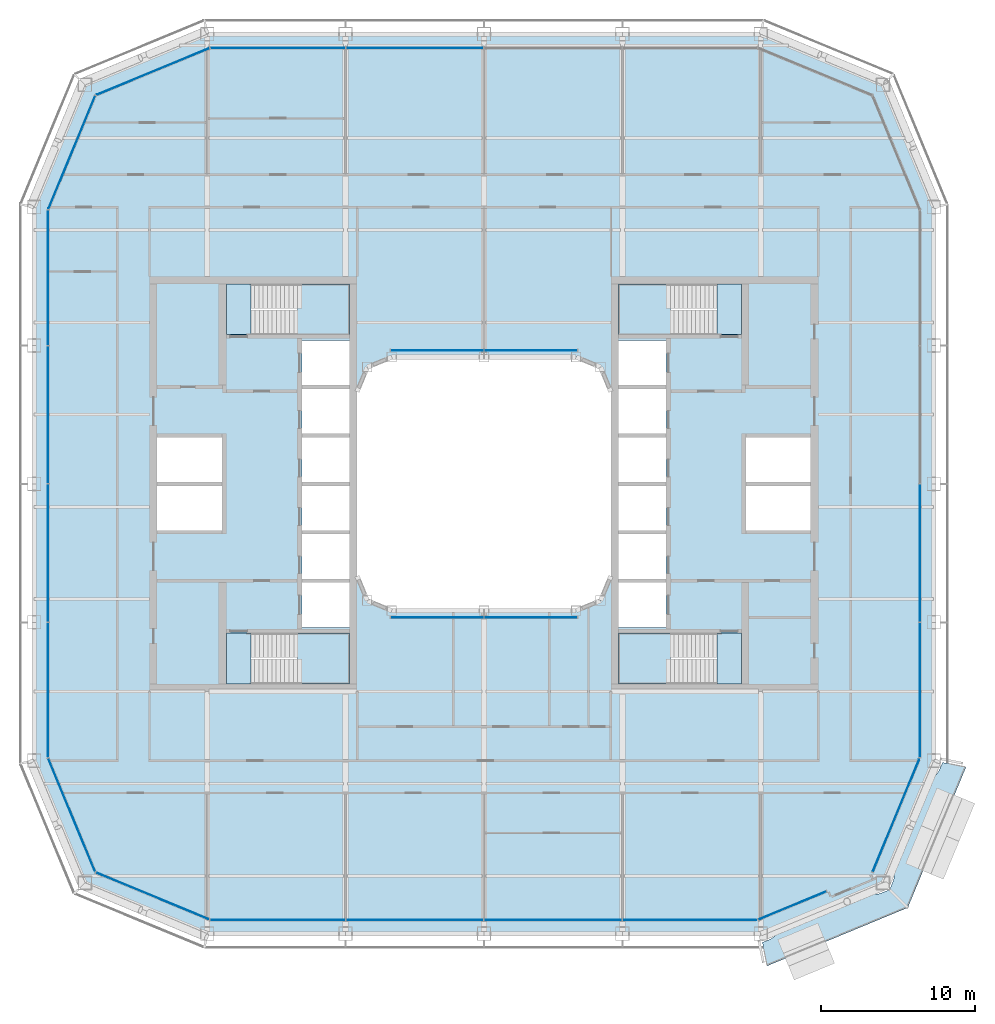
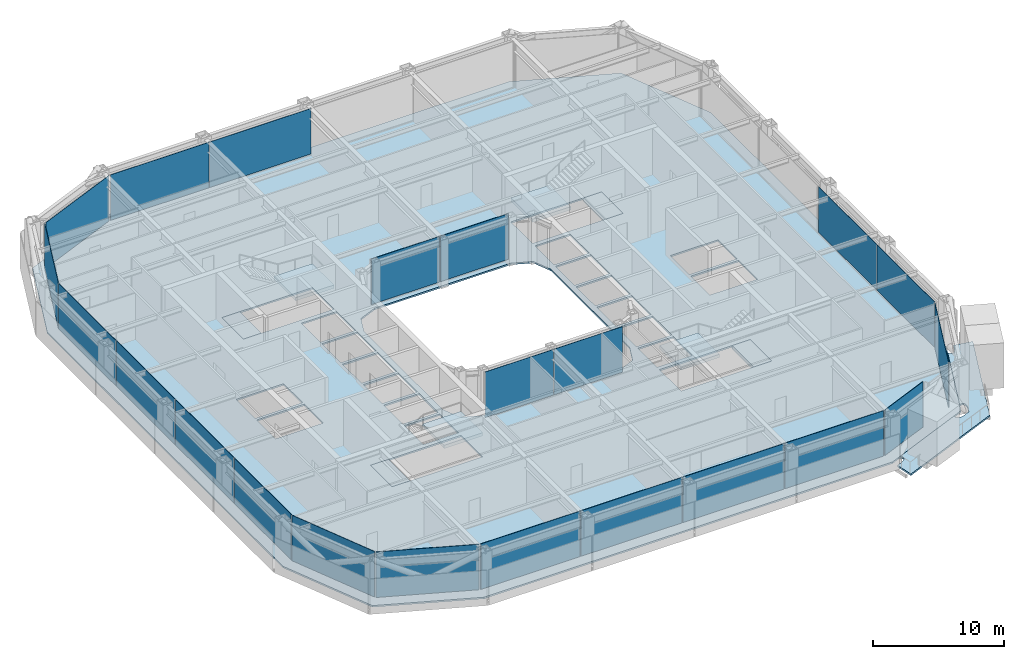
# One storey, part 10 of 23: 22 plates, 10 slabs, 16 elements without a shape of their own.
"""IFC4 building model written with IfcOpenShell, lengths in metres."""

from ifc_helpers import new_model, si_unit, direction, frame, origin, origin_2d, place, context, subcontext, project, spatial, polyline, rectangle, outline, extrude, material, layer, layer_set, type_object, element, aggregate, save


model = new_model("IFC4")

# Units and contexts
model_context = context("Model", 3, precision=1e-05, world=origin(), true_north=direction((0.0, 1.0)))
body_context = subcontext(model_context, "Body", "Model", "MODEL_VIEW")
ifc_project = project(units=[si_unit("LENGTHUNIT", "METRE"), si_unit("AREAUNIT", "SQUARE_METRE"), si_unit("VOLUMEUNIT", "CUBIC_METRE"), si_unit("PLANEANGLEUNIT", "RADIAN"), si_unit("MASSUNIT", "GRAM", prefix="KILO")], contexts=[model_context])

# Site, building, storey
site_placement = place(None, origin())
site = spatial("IfcSite", under=ifc_project, at=site_placement, CompositionType="ELEMENT")
building_placement = place(site_placement, origin())
building = spatial("IfcBuilding", under=site, at=building_placement, Name="Siwar Civic Tower", CompositionType="ELEMENT")
storey_placement = place(building_placement, frame((0.0, 0.0, 163.199951171875)))
storey = spatial("IfcBuildingStorey", under=building, at=storey_placement, Name="L35", CompositionType="ELEMENT", Elevation=163.199951171875)

# Stair, slabs
ifc_material_1 = material(Name="Concrete C40/50", Category="concrete")
stair_type = type_object("IfcStairType", Name="CORE-STAIR", PredefinedType="TWO_STRAIGHT_RUN_STAIR", material=ifc_material_1)
stair_1_placement = place(storey_placement, origin())
stair_1 = element("IfcStair", 1, at=stair_1_placement, inside=storey, type_object=stair_type, Name="Exit stair ST1", PredefinedType="TWO_STRAIGHT_RUN_STAIR")
ifc_material_2 = material(Name="Concrete C40/50", Category="concrete")
ifc_layer_1 = layer(ifc_material_2, 0.300048828125)
ifc_layer_set_1 = layer_set([ifc_layer_1], Name="Concrete C40/50")
slab_type_1 = type_object("IfcSlabType", Name="CORE-STAIR-LANDING", PredefinedType="LANDING", material=ifc_layer_set_1)
slab_1_placement = place(storey_placement, frame((0.0, 0.0, -0.300048828125)))
slab_1 = element("IfcSlab", 2, at=slab_1_placement, type_object=slab_type_1, Name="ST1 landing 1", PredefinedType="LANDING", context=body_context, shape_type="SweptSolid", body=[
    extrude(outline(polyline([(-15.14990234375, 13.0), (-16.75, 13.0), (-16.75, 9.699951171875), (-15.14990234375, 9.699951171875), (-15.14990234375, 13.0)])), origin(), (0.0, 0.0, 1.0), 0.300048828125),
])
slab_2_placement = place(storey_placement, frame((0.0, 0.0, 1.949951171875)))
slab_2 = element("IfcSlab", 3, at=slab_2_placement, type_object=slab_type_1, Name="ST1 landing 2", PredefinedType="LANDING", context=body_context, shape_type="SweptSolid", body=[
    extrude(outline(polyline([(-8.75, 13.0), (-12.139892578125, 13.0), (-12.139892578125, 9.699951171875), (-8.75, 9.699951171875), (-8.75, 13.0)])), origin(), (0.0, 0.0, 1.0), 0.300048828125),
])
aggregate(stair_1, [slab_1, slab_2])

stair_2_placement = place(storey_placement, origin())
stair_2 = element("IfcStair", 4, at=stair_2_placement, inside=storey, type_object=stair_type, Name="Exit stair ST2", PredefinedType="TWO_STRAIGHT_RUN_STAIR")
slab_3_placement = place(storey_placement, frame((0.0, 0.0, -0.300048828125)))
slab_3 = element("IfcSlab", 5, at=slab_3_placement, type_object=slab_type_1, Name="ST2 landing 1", PredefinedType="LANDING", context=body_context, shape_type="SweptSolid", body=[
    extrude(outline(polyline([(-15.14990234375, -9.699951171875), (-16.75, -9.699951171875), (-16.75, -13.0), (-15.14990234375, -13.0), (-15.14990234375, -9.699951171875)])), origin(), (0.0, 0.0, 1.0), 0.300048828125),
])
slab_4_placement = place(storey_placement, frame((0.0, 0.0, 1.949951171875)))
slab_4 = element("IfcSlab", 6, at=slab_4_placement, type_object=slab_type_1, Name="ST2 landing 2", PredefinedType="LANDING", context=body_context, shape_type="SweptSolid", body=[
    extrude(outline(polyline([(-8.75, -9.699951171875), (-12.139892578125, -9.699951171875), (-12.139892578125, -13.0), (-8.75, -13.0), (-8.75, -9.699951171875)])), origin(), (0.0, 0.0, 1.0), 0.300048828125),
])
aggregate(stair_2, [slab_3, slab_4])

stair_3_placement = place(storey_placement, origin())
stair_3 = element("IfcStair", 7, at=stair_3_placement, inside=storey, type_object=stair_type, Name="Exit stair ST3", PredefinedType="TWO_STRAIGHT_RUN_STAIR")
slab_5_placement = place(storey_placement, frame((0.0, 0.0, -0.300048828125)))
slab_5 = element("IfcSlab", 8, at=slab_5_placement, type_object=slab_type_1, Name="ST3 landing 1", PredefinedType="LANDING", context=body_context, shape_type="SweptSolid", body=[
    extrude(outline(polyline([(15.14990234375, 9.699951171875), (16.75, 9.699951171875), (16.75, 13.0), (15.14990234375, 13.0), (15.14990234375, 9.699951171875)])), origin(), (0.0, 0.0, 1.0), 0.300048828125),
])
slab_6_placement = place(storey_placement, frame((0.0, 0.0, 1.949951171875)))
slab_6 = element("IfcSlab", 9, at=slab_6_placement, type_object=slab_type_1, Name="ST3 landing 2", PredefinedType="LANDING", context=body_context, shape_type="SweptSolid", body=[
    extrude(outline(polyline([(8.75, 9.699951171875), (12.139892578125, 9.699951171875), (12.139892578125, 13.0), (8.75, 13.0), (8.75, 9.699951171875)])), origin(), (0.0, 0.0, 1.0), 0.300048828125),
])
aggregate(stair_3, [slab_5, slab_6])

stair_4_placement = place(storey_placement, origin())
stair_4 = element("IfcStair", 10, at=stair_4_placement, inside=storey, type_object=stair_type, Name="Exit stair ST4", PredefinedType="TWO_STRAIGHT_RUN_STAIR")
slab_7_placement = place(storey_placement, frame((0.0, 0.0, -0.300048828125)))
slab_7 = element("IfcSlab", 11, at=slab_7_placement, type_object=slab_type_1, Name="ST4 landing 1", PredefinedType="LANDING", context=body_context, shape_type="SweptSolid", body=[
    extrude(outline(polyline([(15.14990234375, -13.0), (16.75, -13.0), (16.75, -9.699951171875), (15.14990234375, -9.699951171875), (15.14990234375, -13.0)])), origin(), (0.0, 0.0, 1.0), 0.300048828125),
])
slab_8_placement = place(storey_placement, frame((0.0, 0.0, 1.949951171875)))
slab_8 = element("IfcSlab", 12, at=slab_8_placement, type_object=slab_type_1, Name="ST4 landing 2", PredefinedType="LANDING", context=body_context, shape_type="SweptSolid", body=[
    extrude(outline(polyline([(8.75, -13.0), (12.139892578125, -13.0), (12.139892578125, -9.699951171875), (8.75, -9.699951171875), (8.75, -13.0)])), origin(), (0.0, 0.0, 1.0), 0.300048828125),
])
aggregate(stair_4, [slab_7, slab_8])

# Slab
ifc_material_3 = material(Name="Concrete C40/50", Category="concrete")
ifc_layer_2 = layer(ifc_material_3, 0.14990234375)
ifc_layer_set_2 = layer_set([ifc_layer_2], Name="Concrete C40/50")
slab_type_2 = type_object("IfcSlabType", Name="ENV-BALCONY DECK 150", PredefinedType="FLOOR", material=ifc_layer_set_2)
slab_9_placement = place(storey_placement, frame((0.0, 0.0, -0.1494140625)))
element("IfcSlab", 13, at=slab_9_placement, inside=storey, type_object=slab_type_2, Name="Tree balcony deck SE", PredefinedType="FLOOR", context=body_context, shape_type="SweptSolid", body=[
    extrude(outline(polyline([(26.263427734375, -26.43310546875), (26.258056640625, -26.435546875), (26.258056640625, -26.435546875), (26.2333984375, -26.44580078125), (26.151611328125, -26.479736328125), (25.921875, -26.575439453125), (25.897216796875, -26.585693359375), (25.88916015625, -26.589111328125), (25.88720703125, -26.58984375), (25.81494140625, -26.617431640625), (25.81005859375, -26.619140625), (25.74462890625, -26.639404296875), (25.740234375, -26.640625), (25.673583984375, -26.65673828125), (25.669189453125, -26.65771484375), (25.601806640625, -26.669921875), (25.59765625, -26.67041015625), (25.529541015625, -26.6787109375), (25.523681640625, -26.67919921875), (25.517578125, -26.67919921875), (25.406005859375, -26.6748046875), (25.397216796875, -26.674072265625), (25.388671875, -26.672119140625), (25.345703125, -26.66015625), (25.34130859375, -26.65869140625), (25.299072265625, -26.64404296875), (25.29150390625, -26.640869140625), (25.284423828125, -26.63720703125), (25.251220703125, -26.61669921875), (25.247802734375, -26.614501953125), (25.216064453125, -26.59228515625), (25.209716796875, -26.58740234375), (25.203857421875, -26.581787109375), (25.19873046875, -26.575439453125), (25.1943359375, -26.56884765625), (25.190673828125, -26.561767578125), (25.177001953125, -26.531494140625), (25.17529296875, -26.52734375), (25.16357421875, -26.496337890625), (25.1611328125, -26.488525390625), (25.159423828125, -26.480712890625), (25.15869140625, -26.47265625), (25.15869140625, -26.464599609375), (25.15966796875, -26.456787109375), (25.166259765625, -26.418701171875), (25.167236328125, -26.41455078125), (25.176025390625, -26.376708984375), (25.17822265625, -26.368896484375), (25.181396484375, -26.361328125), (25.20068359375, -26.321044921875), (25.202880859375, -26.31689453125), (25.224609375, -26.27783203125), (25.2294921875, -26.2705078125), (25.23486328125, -26.263671875), (25.25048828125, -26.246826171875), (18.724609375, -28.949951171875), (18.77490234375, -28.951904296875), (18.783447265625, -28.95263671875), (18.7919921875, -28.95458984375), (18.835205078125, -28.966552734375), (18.839599609375, -28.968017578125), (18.8818359375, -28.982666015625), (18.889404296875, -28.98583984375), (18.896484375, -28.98974609375), (18.9296875, -29.010009765625), (18.935302734375, -29.013916015625), (18.940673828125, -29.018310546875), (18.945556640625, -29.023193359375), (18.968994140625, -29.048583984375), (18.971923828125, -29.052001953125), (18.99365234375, -29.078857421875), (18.998046875, -29.084716796875), (19.001708984375, -29.0908203125), (19.0048828125, -29.097412109375), (19.00732421875, -29.104248046875), (19.009033203125, -29.111083984375), (19.01025390625, -29.118408203125), (19.013671875, -29.15283203125), (19.01416015625, -29.1572265625), (19.015625, -29.19189453125), (19.015625, -29.19873046875), (19.01513671875, -29.20556640625), (19.013671875, -29.21240234375), (19.0048828125, -29.25), (19.002685546875, -29.2578125), (18.99951171875, -29.265380859375), (18.980224609375, -29.305908203125), (18.97802734375, -29.309814453125), (18.956298828125, -29.348876953125), (18.951416015625, -29.356201171875), (18.946044921875, -29.363037109375), (18.870361328125, -29.4453125), (18.865966796875, -29.44970703125), (18.861572265625, -29.453369140625), (18.8076171875, -29.495849609375), (18.80419921875, -29.498291015625), (18.748046875, -29.53759765625), (18.744384765625, -29.5400390625), (18.68603515625, -29.575927734375), (18.681884765625, -29.578369140625), (18.62158203125, -29.610595703125), (18.616943359375, -29.61279296875), (18.54638671875, -29.64453125), (18.54443359375, -29.645263671875), (18.4951171875, -29.665771484375), (18.449951171875, -29.6845703125), (18.449951171875, -29.699951171875), (18.412841796875, -29.699951171875), (18.314697265625, -29.740966796875), (18.232666015625, -29.775146484375), (18.19970703125, -29.788818359375), (18.175048828125, -29.798828125), (18.175048828125, -29.798828125), (18.16748046875, -29.8017578125), (18.148193359375, -29.807373046875), (18.140625, -29.80908203125), (18.1328125, -29.81005859375), (18.1123046875, -29.8115234375), (18.11181640625, -29.8115234375), (18.417724609375, -31.35009765625), (27.562255859375, -27.562255859375), (31.35009765625, -18.417724609375), (29.80810546875, -18.111083984375), (29.808349609375, -18.114013671875), (29.80859375, -18.13037109375), (29.808349609375, -18.136962890625), (29.8076171875, -18.1435546875), (29.80615234375, -18.150146484375), (29.80224609375, -18.1650390625), (29.798828125, -18.175048828125), (29.788818359375, -18.19970703125), (29.755615234375, -18.279052734375), (29.740966796875, -18.314697265625), (29.699951171875, -18.412841796875), (29.699951171875, -18.449951171875), (29.6845703125, -18.449951171875), (29.665771484375, -18.4951171875), (29.645263671875, -18.54443359375), (29.64453125, -18.54638671875), (29.61279296875, -18.616943359375), (29.610595703125, -18.62158203125), (29.578369140625, -18.681884765625), (29.575927734375, -18.68603515625), (29.5400390625, -18.744384765625), (29.53759765625, -18.748046875), (29.498291015625, -18.80419921875), (29.495849609375, -18.8076171875), (29.453369140625, -18.861572265625), (29.44970703125, -18.865966796875), (29.4453125, -18.870361328125), (29.363037109375, -18.946044921875), (29.356201171875, -18.951416015625), (29.348876953125, -18.956298828125), (29.309814453125, -18.97802734375), (29.305908203125, -18.980224609375), (29.265380859375, -18.99951171875), (29.2578125, -19.002685546875), (29.25, -19.0048828125), (29.21240234375, -19.013671875), (29.20556640625, -19.01513671875), (29.19873046875, -19.015625), (29.19189453125, -19.015625), (29.1572265625, -19.01416015625), (29.15283203125, -19.013671875), (29.118408203125, -19.01025390625), (29.111083984375, -19.009033203125), (29.104248046875, -19.00732421875), (29.097412109375, -19.0048828125), (29.0908203125, -19.001708984375), (29.084716796875, -18.998046875), (29.078857421875, -18.99365234375), (29.052001953125, -18.971923828125), (29.048583984375, -18.968994140625), (29.023193359375, -18.945556640625), (29.018310546875, -18.940673828125), (29.013916015625, -18.935302734375), (29.010009765625, -18.9296875), (28.98974609375, -18.896484375), (28.98583984375, -18.889404296875), (28.982666015625, -18.8818359375), (28.968017578125, -18.839599609375), (28.966552734375, -18.835205078125), (28.95458984375, -18.7919921875), (28.95263671875, -18.783447265625), (28.951904296875, -18.77490234375), (28.949951171875, -18.724609375), (26.246826171875, -25.25048828125), (26.263671875, -25.23486328125), (26.2705078125, -25.2294921875), (26.27783203125, -25.224609375), (26.31689453125, -25.202880859375), (26.321044921875, -25.20068359375), (26.361328125, -25.181396484375), (26.368896484375, -25.17822265625), (26.376708984375, -25.176025390625), (26.41455078125, -25.167236328125), (26.418701171875, -25.166259765625), (26.456787109375, -25.15966796875), (26.464599609375, -25.15869140625), (26.47265625, -25.15869140625), (26.480712890625, -25.159423828125), (26.488525390625, -25.1611328125), (26.496337890625, -25.16357421875), (26.52734375, -25.17529296875), (26.531494140625, -25.177001953125), (26.561767578125, -25.190673828125), (26.56884765625, -25.1943359375), (26.575439453125, -25.19873046875), (26.581787109375, -25.203857421875), (26.58740234375, -25.209716796875), (26.59228515625, -25.216064453125), (26.614501953125, -25.247802734375), (26.61669921875, -25.251220703125), (26.63720703125, -25.284423828125), (26.640869140625, -25.29150390625), (26.64404296875, -25.299072265625), (26.65869140625, -25.34130859375), (26.66015625, -25.345703125), (26.672119140625, -25.388671875), (26.674072265625, -25.397216796875), (26.6748046875, -25.406005859375), (26.67919921875, -25.517578125), (26.67919921875, -25.523681640625), (26.6787109375, -25.529541015625), (26.67041015625, -25.59765625), (26.669921875, -25.601806640625), (26.65771484375, -25.669189453125), (26.65673828125, -25.673583984375), (26.640625, -25.740234375), (26.639404296875, -25.74462890625), (26.619140625, -25.81005859375), (26.617431640625, -25.81494140625), (26.58984375, -25.88720703125), (26.589111328125, -25.88916015625), (26.585693359375, -25.897216796875), (26.575439453125, -25.921875), (26.479736328125, -26.151611328125), (26.44580078125, -26.2333984375), (26.435546875, -26.258056640625), (26.4306640625, -26.267578125), (26.4228515625, -26.28076171875), (26.419189453125, -26.286376953125), (26.4150390625, -26.291748046875), (26.410400390625, -26.296630859375), (26.405029296875, -26.3017578125), (26.405029296875, -26.405029296875), (26.311279296875, -26.405029296875), (26.29833984375, -26.414306640625), (26.293701171875, -26.41748046875), (26.28857421875, -26.420166015625), (26.263427734375, -26.43310546875)])), origin(), (0.0, 0.0, 1.0), 0.1494140625),
])

# Curtain wall, plates
ifc_material_4 = material(Name="Aluminium and glass", Category="aluminium")
ifc_layer_3 = layer(ifc_material_4, 0.199951171875)
ifc_layer_set_3 = layer_set([ifc_layer_3], Name="Aluminium and glass")
curtain_wall_type_1 = type_object("IfcCurtainWallType", Name="ENV-CW-B", PredefinedType="NOTDEFINED", material=ifc_layer_set_3)
curtain_wall_1_placement = place(storey_placement, origin())
curtain_wall_1 = element("IfcCurtainWall", 14, at=curtain_wall_1_placement, inside=storey, type_object=curtain_wall_type_1, Name="Curtain wall B S", PredefinedType="NOTDEFINED")
ifc_material_5 = material(Name="Glass clear laminated", Category="glass")
ifc_layer_4 = layer(ifc_material_5, 0.033935546875)
ifc_layer_set_4 = layer_set([ifc_layer_4], Name="Glass clear laminated")
plate_type_1 = type_object("IfcPlateType", Name="ENV-PANEL-B", PredefinedType="CURTAIN_PANEL", material=ifc_layer_set_4)
plate_1_placement = place(storey_placement, frame((-13.410400390625, -28.35009765625, 0.10986328125), z_axis=(0.0, 0.0, 1.0), x_axis=(1.0, 0.0, 0.0)))
plate_1 = element("IfcPlate", 15, at=plate_1_placement, type_object=plate_type_1, Name="Curtain panel B S 1", PredefinedType="CURTAIN_PANEL", context=body_context, shape_type="SweptSolid", body=[
    extrude(rectangle(XDim=8.755859375, YDim=0.033935546875, at=origin_2d()), origin(), (0.0, 0.0, 1.0), 4.239990234375),
])
plate_2_placement = place(storey_placement, frame((-4.5, -28.35009765625, 0.10986328125), z_axis=(0.0, 0.0, 1.0), x_axis=(1.0, 0.0, 0.0)))
plate_2 = element("IfcPlate", 16, at=plate_2_placement, type_object=plate_type_1, Name="Curtain panel B S 2", PredefinedType="CURTAIN_PANEL", context=body_context, shape_type="SweptSolid", body=[
    extrude(rectangle(XDim=8.93505859375, YDim=0.033935546875, at=origin_2d()), origin(), (0.0, 0.0, 1.0), 4.239990234375),
])
plate_3_placement = place(storey_placement, frame((4.5, -28.35009765625, 0.10986328125), z_axis=(0.0, 0.0, 1.0), x_axis=(1.0, 0.0, 0.0)))
plate_3 = element("IfcPlate", 17, at=plate_3_placement, type_object=plate_type_1, Name="Curtain panel B S 3", PredefinedType="CURTAIN_PANEL", context=body_context, shape_type="SweptSolid", body=[
    extrude(rectangle(XDim=8.93505859375, YDim=0.033935546875, at=origin_2d()), origin(), (0.0, 0.0, 1.0), 4.239990234375),
])
plate_4_placement = place(storey_placement, frame((13.369873046875, -28.35009765625, 0.10986328125), z_axis=(0.0, 0.0, 1.0), x_axis=(1.0, 0.0, 0.0)))
plate_4 = element("IfcPlate", 18, at=plate_4_placement, type_object=plate_type_1, Name="Curtain panel B S 4", PredefinedType="CURTAIN_PANEL", context=body_context, shape_type="SweptSolid", body=[
    extrude(rectangle(XDim=8.6748046875, YDim=0.033935546875, at=origin_2d()), origin(), (0.0, 0.0, 1.0), 4.239990234375),
])
aggregate(curtain_wall_1, [plate_1, plate_2, plate_3, plate_4])

curtain_wall_2_placement = place(storey_placement, origin())
curtain_wall_2 = element("IfcCurtainWall", 19, at=curtain_wall_2_placement, inside=storey, type_object=curtain_wall_type_1, Name="Curtain wall B E", PredefinedType="NOTDEFINED")
plate_5_placement = place(storey_placement, frame((28.35009765625, -13.410400390625, 0.10986328125), z_axis=(0.0, 0.0, 1.0), x_axis=(0.0, 1.0, 0.0)))
plate_5 = element("IfcPlate", 20, at=plate_5_placement, type_object=plate_type_1, Name="Curtain panel B E 1", PredefinedType="CURTAIN_PANEL", context=body_context, shape_type="SweptSolid", body=[
    extrude(rectangle(XDim=8.755859375, YDim=0.033935546875, at=origin_2d()), origin(), (0.0, 0.0, 1.0), 4.239990234375),
])
plate_6_placement = place(storey_placement, frame((28.35009765625, -4.5, 0.10986328125), z_axis=(0.0, 0.0, 1.0), x_axis=(0.0, 1.0, 0.0)))
plate_6 = element("IfcPlate", 21, at=plate_6_placement, type_object=plate_type_1, Name="Curtain panel B E 2", PredefinedType="CURTAIN_PANEL", context=body_context, shape_type="SweptSolid", body=[
    extrude(rectangle(XDim=8.93505859375, YDim=0.033935546875, at=origin_2d()), origin(), (0.0, 0.0, 1.0), 4.239990234375),
])
aggregate(curtain_wall_2, [plate_5, plate_6])

curtain_wall_3_placement = place(storey_placement, origin())
curtain_wall_3 = element("IfcCurtainWall", 22, at=curtain_wall_3_placement, inside=storey, type_object=curtain_wall_type_1, Name="Curtain wall B N", PredefinedType="NOTDEFINED")
plate_7_placement = place(storey_placement, frame((-4.5, 28.35009765625, 0.10986328125), z_axis=(0.0, 0.0, 1.0), x_axis=(-1.0, 0.0, 0.0)))
plate_7 = element("IfcPlate", 23, at=plate_7_placement, type_object=plate_type_1, Name="Curtain panel B N 3", PredefinedType="CURTAIN_PANEL", context=body_context, shape_type="SweptSolid", body=[
    extrude(rectangle(XDim=8.93505859375, YDim=0.033935546875, at=origin_2d()), origin(), (0.0, 0.0, 1.0), 4.239990234375),
])
plate_8_placement = place(storey_placement, frame((-13.369873046875, 28.35009765625, 0.10986328125), z_axis=(0.0, 0.0, 1.0), x_axis=(-1.0, 0.0, 0.0)))
plate_8 = element("IfcPlate", 24, at=plate_8_placement, type_object=plate_type_1, Name="Curtain panel B N 4", PredefinedType="CURTAIN_PANEL", context=body_context, shape_type="SweptSolid", body=[
    extrude(rectangle(XDim=8.6748046875, YDim=0.033935546875, at=origin_2d()), origin(), (0.0, 0.0, 1.0), 4.239990234375),
])
aggregate(curtain_wall_3, [plate_7, plate_8])

curtain_wall_4_placement = place(storey_placement, origin())
curtain_wall_4 = element("IfcCurtainWall", 25, at=curtain_wall_4_placement, inside=storey, type_object=curtain_wall_type_1, Name="Curtain wall B W", PredefinedType="NOTDEFINED")
plate_9_placement = place(storey_placement, frame((-28.35009765625, 13.410400390625, 0.10986328125), z_axis=(0.0, 0.0, 1.0), x_axis=(0.0, -1.0, 0.0)))
plate_9 = element("IfcPlate", 26, at=plate_9_placement, type_object=plate_type_1, Name="Curtain panel B W 1", PredefinedType="CURTAIN_PANEL", context=body_context, shape_type="SweptSolid", body=[
    extrude(rectangle(XDim=8.755859375, YDim=0.033935546875, at=origin_2d()), origin(), (0.0, 0.0, 1.0), 4.239990234375),
])
plate_10_placement = place(storey_placement, frame((-28.35009765625, 4.5, 0.10986328125), z_axis=(0.0, 0.0, 1.0), x_axis=(0.0, -1.0, 0.0)))
plate_10 = element("IfcPlate", 27, at=plate_10_placement, type_object=plate_type_1, Name="Curtain panel B W 2", PredefinedType="CURTAIN_PANEL", context=body_context, shape_type="SweptSolid", body=[
    extrude(rectangle(XDim=8.93505859375, YDim=0.033935546875, at=origin_2d()), origin(), (0.0, 0.0, 1.0), 4.239990234375),
])
plate_11_placement = place(storey_placement, frame((-28.35009765625, -4.5, 0.10986328125), z_axis=(0.0, 0.0, 1.0), x_axis=(0.0, -1.0, 0.0)))
plate_11 = element("IfcPlate", 28, at=plate_11_placement, type_object=plate_type_1, Name="Curtain panel B W 3", PredefinedType="CURTAIN_PANEL", context=body_context, shape_type="SweptSolid", body=[
    extrude(rectangle(XDim=8.93505859375, YDim=0.033935546875, at=origin_2d()), origin(), (0.0, 0.0, 1.0), 4.239990234375),
])
plate_12_placement = place(storey_placement, frame((-28.35009765625, -13.369873046875, 0.10986328125), z_axis=(0.0, 0.0, 1.0), x_axis=(0.0, -1.0, 0.0)))
plate_12 = element("IfcPlate", 29, at=plate_12_placement, type_object=plate_type_1, Name="Curtain panel B W 4", PredefinedType="CURTAIN_PANEL", context=body_context, shape_type="SweptSolid", body=[
    extrude(rectangle(XDim=8.6748046875, YDim=0.033935546875, at=origin_2d()), origin(), (0.0, 0.0, 1.0), 4.239990234375),
])
aggregate(curtain_wall_4, [plate_9, plate_10, plate_11, plate_12])

# Curtain wall, plate
ifc_material_6 = material(Name="Aluminium clad insulated panel", Category="aluminium")
ifc_layer_5 = layer(ifc_material_6, 0.199951171875)
ifc_layer_set_5 = layer_set([ifc_layer_5], Name="Aluminium clad insulated panel")
curtain_wall_type_2 = type_object("IfcCurtainWallType", Name="ENV-CW-BX", PredefinedType="NOTDEFINED", material=ifc_layer_set_5)
curtain_wall_5_placement = place(storey_placement, origin())
curtain_wall_5 = element("IfcCurtainWall", 30, at=curtain_wall_5_placement, inside=storey, type_object=curtain_wall_type_2, Name="Curtain wall B SE1", PredefinedType="NOTDEFINED")
ifc_material_7 = material(Name="Aluminium clad insulated panel", Category="aluminium")
ifc_layer_6 = layer(ifc_material_7, 0.033935546875)
ifc_layer_set_6 = layer_set([ifc_layer_6], Name="Aluminium clad insulated panel")
plate_type_2 = type_object("IfcPlateType", Name="ENV-PANEL-BX", PredefinedType="CURTAIN_PANEL", material=ifc_layer_set_6)
plate_13_placement = place(storey_placement, frame((20.06005859375, -27.422607421875, 0.10986328125), z_axis=(0.0, 0.0, 1.0), x_axis=(0.923879532511, 0.382683432365, 0.0)))
plate_13 = element("IfcPlate", 31, at=plate_13_placement, type_object=plate_type_2, Name="Curtain panel B SE1 1", PredefinedType="CURTAIN_PANEL", context=body_context, shape_type="SweptSolid", body=[
    extrude(rectangle(XDim=4.7822265625, YDim=0.033935546875, at=origin_2d()), origin(), (0.0, 0.0, 1.0), 4.239990234375),
])
aggregate(curtain_wall_5, [plate_13])

curtain_wall_6_placement = place(storey_placement, origin())
curtain_wall_6 = element("IfcCurtainWall", 32, at=curtain_wall_6_placement, inside=storey, type_object=curtain_wall_type_2, Name="Curtain wall B SE2", PredefinedType="NOTDEFINED")
plate_14_placement = place(storey_placement, frame((26.79248046875, -21.5810546875, 0.10986328125), z_axis=(0.0, 0.0, 1.0), x_axis=(0.382683432365, 0.923879532511, 0.0)))
plate_14 = element("IfcPlate", 33, at=plate_14_placement, type_object=plate_type_2, Name="Curtain panel B SE2 1", PredefinedType="CURTAIN_PANEL", context=body_context, shape_type="SweptSolid", body=[
    extrude(rectangle(XDim=7.912353515625, YDim=0.033935546875, at=origin_2d()), origin(), (0.0, 0.0, 1.0), 4.239990234375),
])
aggregate(curtain_wall_6, [plate_14])

curtain_wall_7_placement = place(storey_placement, origin())
curtain_wall_7 = element("IfcCurtainWall", 34, at=curtain_wall_7_placement, inside=storey, type_object=curtain_wall_type_2, Name="Curtain wall B NW1", PredefinedType="NOTDEFINED")
plate_15_placement = place(storey_placement, frame((-21.506103515625, 26.823486328125, 0.10986328125), z_axis=(0.0, 0.0, 1.0), x_axis=(-0.923879532511, -0.382683432365, 0.0)))
plate_15 = element("IfcPlate", 35, at=plate_15_placement, type_object=plate_type_2, Name="Curtain panel B NW1 1", PredefinedType="CURTAIN_PANEL", context=body_context, shape_type="SweptSolid", body=[
    extrude(rectangle(XDim=7.912353515625, YDim=0.033935546875, at=origin_2d()), origin(), (0.0, 0.0, 1.0), 4.239990234375),
])
aggregate(curtain_wall_7, [plate_15])

curtain_wall_8_placement = place(storey_placement, origin())
curtain_wall_8 = element("IfcCurtainWall", 36, at=curtain_wall_8_placement, inside=storey, type_object=curtain_wall_type_2, Name="Curtain wall B NW2", PredefinedType="NOTDEFINED")
plate_16_placement = place(storey_placement, frame((-26.79248046875, 21.5810546875, 0.10986328125), z_axis=(0.0, 0.0, 1.0), x_axis=(-0.382683432365, -0.923879532511, 0.0)))
plate_16 = element("IfcPlate", 37, at=plate_16_placement, type_object=plate_type_2, Name="Curtain panel B NW2 1", PredefinedType="CURTAIN_PANEL", context=body_context, shape_type="SweptSolid", body=[
    extrude(rectangle(XDim=7.912353515625, YDim=0.033935546875, at=origin_2d()), origin(), (0.0, 0.0, 1.0), 4.239990234375),
])
aggregate(curtain_wall_8, [plate_16])

curtain_wall_9_placement = place(storey_placement, origin())
curtain_wall_9 = element("IfcCurtainWall", 38, at=curtain_wall_9_placement, inside=storey, type_object=curtain_wall_type_2, Name="Curtain wall B SW1", PredefinedType="NOTDEFINED")
plate_17_placement = place(storey_placement, frame((-26.823486328125, -21.506103515625, 0.10986328125), z_axis=(0.0, 0.0, 1.0), x_axis=(0.382683432365, -0.923879532511, 0.0)))
plate_17 = element("IfcPlate", 39, at=plate_17_placement, type_object=plate_type_2, Name="Curtain panel B SW1 1", PredefinedType="CURTAIN_PANEL", context=body_context, shape_type="SweptSolid", body=[
    extrude(rectangle(XDim=7.912353515625, YDim=0.033935546875, at=origin_2d()), origin(), (0.0, 0.0, 1.0), 4.239990234375),
])
aggregate(curtain_wall_9, [plate_17])

curtain_wall_10_placement = place(storey_placement, origin())
curtain_wall_10 = element("IfcCurtainWall", 40, at=curtain_wall_10_placement, inside=storey, type_object=curtain_wall_type_2, Name="Curtain wall B SW2", PredefinedType="NOTDEFINED")
plate_18_placement = place(storey_placement, frame((-21.5810546875, -26.79248046875, 0.10986328125), z_axis=(0.0, 0.0, 1.0), x_axis=(0.923879532511, -0.382683432365, 0.0)))
plate_18 = element("IfcPlate", 41, at=plate_18_placement, type_object=plate_type_2, Name="Curtain panel B SW2 1", PredefinedType="CURTAIN_PANEL", context=body_context, shape_type="SweptSolid", body=[
    extrude(rectangle(XDim=7.912353515625, YDim=0.033935546875, at=origin_2d()), origin(), (0.0, 0.0, 1.0), 4.239990234375),
])
aggregate(curtain_wall_10, [plate_18])

# Curtain wall, plates
ifc_material_8 = material(Name="Aluminium and glass", Category="aluminium")
ifc_layer_7 = layer(ifc_material_8, 0.179931640625)
ifc_layer_set_7 = layer_set([ifc_layer_7], Name="Aluminium and glass")
curtain_wall_type_3 = type_object("IfcCurtainWallType", Name="ENV-CW-W", PredefinedType="NOTDEFINED", material=ifc_layer_set_7)
curtain_wall_11_placement = place(storey_placement, origin())
curtain_wall_11 = element("IfcCurtainWall", 42, at=curtain_wall_11_placement, inside=storey, type_object=curtain_wall_type_3, Name="Curtain wall W WS", PredefinedType="NOTDEFINED")
ifc_material_9 = material(Name="Glass clear laminated", Category="glass")
ifc_layer_8 = layer(ifc_material_9, 0.031982421875)
ifc_layer_set_8 = layer_set([ifc_layer_8], Name="Glass clear laminated")
plate_type_3 = type_object("IfcPlateType", Name="ENV-PANEL-W", PredefinedType="CURTAIN_PANEL", material=ifc_layer_set_8)
plate_19_placement = place(storey_placement, frame((-3.043212890625, -8.68505859375, 0.10009765625), z_axis=(0.0, 0.0, 1.0), x_axis=(1.0, 0.0, 0.0)))
plate_19 = element("IfcPlate", 43, at=plate_19_placement, type_object=plate_type_3, Name="Curtain panel W WS 1", PredefinedType="CURTAIN_PANEL", context=body_context, shape_type="SweptSolid", body=[
    extrude(rectangle(XDim=6.026611328125, YDim=0.031982421875, at=origin_2d()), origin(), (0.0, 0.0, 1.0), 4.25),
])
plate_20_placement = place(storey_placement, frame((3.043212890625, -8.68505859375, 0.10009765625), z_axis=(0.0, 0.0, 1.0), x_axis=(1.0, 0.0, 0.0)))
plate_20 = element("IfcPlate", 44, at=plate_20_placement, type_object=plate_type_3, Name="Curtain panel W WS 2", PredefinedType="CURTAIN_PANEL", context=body_context, shape_type="SweptSolid", body=[
    extrude(rectangle(XDim=6.026611328125, YDim=0.031982421875, at=origin_2d()), origin(), (0.0, 0.0, 1.0), 4.25),
])
aggregate(curtain_wall_11, [plate_19, plate_20])

curtain_wall_12_placement = place(storey_placement, origin())
curtain_wall_12 = element("IfcCurtainWall", 45, at=curtain_wall_12_placement, inside=storey, type_object=curtain_wall_type_3, Name="Curtain wall W WN", PredefinedType="NOTDEFINED")
plate_21_placement = place(storey_placement, frame((3.043212890625, 8.68505859375, 0.10009765625), z_axis=(0.0, 0.0, 1.0), x_axis=(-1.0, 0.0, 0.0)))
plate_21 = element("IfcPlate", 46, at=plate_21_placement, type_object=plate_type_3, Name="Curtain panel W WN 1", PredefinedType="CURTAIN_PANEL", context=body_context, shape_type="SweptSolid", body=[
    extrude(rectangle(XDim=6.026611328125, YDim=0.031982421875, at=origin_2d()), origin(), (0.0, 0.0, 1.0), 4.25),
])
plate_22_placement = place(storey_placement, frame((-3.043212890625, 8.68505859375, 0.10009765625), z_axis=(0.0, 0.0, 1.0), x_axis=(-1.0, 0.0, 0.0)))
plate_22 = element("IfcPlate", 47, at=plate_22_placement, type_object=plate_type_3, Name="Curtain panel W WN 2", PredefinedType="CURTAIN_PANEL", context=body_context, shape_type="SweptSolid", body=[
    extrude(rectangle(XDim=6.026611328125, YDim=0.031982421875, at=origin_2d()), origin(), (0.0, 0.0, 1.0), 4.25),
])
aggregate(curtain_wall_12, [plate_21, plate_22])

# Slab
ifc_material_10 = material(Name="Concrete C40/50", Category="concrete")
ifc_layer_9 = layer(ifc_material_10, 0.14990234375)
ifc_layer_set_9 = layer_set([ifc_layer_9], Name="Concrete C40/50")
slab_type_3 = type_object("IfcSlabType", Name="STR-FLOOR-DECK-150", PredefinedType="FLOOR", material=ifc_layer_set_9)
slab_10_placement = place(storey_placement, frame((0.0, 0.0, -0.14990234375)))
element("IfcSlab", 48, at=slab_10_placement, inside=storey, type_object=slab_type_3, Name="L35/slab/1", PredefinedType="FLOOR", context=body_context, shape_type="SweptSolid", body=[
    extrude(outline(polyline([(-18.0, -29.25), (18.0, -29.25), (25.954833984375, -25.954833984375), (29.25, -18.0), (29.25, 18.0), (25.954833984375, 25.954833984375), (18.0, 29.25), (-18.0, 29.25), (-25.954833984375, 25.954833984375), (-29.25, 18.0), (-29.25, -18.0), (-25.954833984375, -25.954833984375), (-18.0, -29.25)]), holes=[polyline([(21.25, 3.02490234375), (21.25, 0.125), (17.050048828125, 0.125), (17.050048828125, 3.02490234375), (21.25, 3.02490234375)]), polyline([(17.050048828125, -0.125), (21.25, -0.125), (21.25, -3.02490234375), (17.050048828125, -3.02490234375), (17.050048828125, -0.125)]), polyline([(16.75, 13.0), (16.75, 9.699951171875), (8.75, 9.699951171875), (8.75, 13.0), (16.75, 13.0)]), polyline([(8.75, -9.699951171875), (16.75, -9.699951171875), (16.75, -13.0), (8.75, -13.0), (8.75, -9.699951171875)]), polyline([(11.85009765625, 9.324951171875), (11.85009765625, 6.425048828125), (8.75, 6.425048828125), (8.75, 9.324951171875), (11.85009765625, 9.324951171875)]), polyline([(11.85009765625, 3.02490234375), (11.85009765625, 0.125), (8.75, 0.125), (8.75, 3.02490234375), (11.85009765625, 3.02490234375)]), polyline([(11.85009765625, -0.125), (11.85009765625, -3.02490234375), (8.75, -3.02490234375), (8.75, -0.125), (11.85009765625, -0.125)]), polyline([(11.85009765625, -3.27490234375), (11.85009765625, -6.175048828125), (8.75, -6.175048828125), (8.75, -3.27490234375), (11.85009765625, -3.27490234375)]), polyline([(8.75, 6.175048828125), (11.85009765625, 6.175048828125), (11.85009765625, 3.27490234375), (8.75, 3.27490234375), (8.75, 6.175048828125)]), polyline([(8.75, -6.425048828125), (11.85009765625, -6.425048828125), (11.85009765625, -9.324951171875), (8.75, -9.324951171875), (8.75, -6.425048828125)]), polyline([(-6.0, 8.25), (6.0, 8.25), (7.591064453125, 7.591064453125), (8.25, 6.0), (8.25, -6.0), (7.591064453125, -7.591064453125), (6.0, -8.25), (-6.0, -8.25), (-7.591064453125, -7.591064453125), (-8.25, -6.0), (-8.25, 6.0), (-7.591064453125, 7.591064453125), (-6.0, 8.25)]), polyline([(-8.75, 9.699951171875), (-16.75, 9.699951171875), (-16.75, 13.0), (-8.75, 13.0), (-8.75, 9.699951171875)]), polyline([(-8.75, 0.125), (-11.85009765625, 0.125), (-11.85009765625, 3.02490234375), (-8.75, 3.02490234375), (-8.75, 0.125)]), polyline([(-8.75, -6.175048828125), (-11.85009765625, -6.175048828125), (-11.85009765625, -3.27490234375), (-8.75, -3.27490234375), (-8.75, -6.175048828125)]), polyline([(-8.75, -9.324951171875), (-11.85009765625, -9.324951171875), (-11.85009765625, -6.425048828125), (-8.75, -6.425048828125), (-8.75, -9.324951171875)]), polyline([(-8.75, -13.0), (-16.75, -13.0), (-16.75, -9.699951171875), (-8.75, -9.699951171875), (-8.75, -13.0)]), polyline([(-11.85009765625, 6.425048828125), (-11.85009765625, 9.324951171875), (-8.75, 9.324951171875), (-8.75, 6.425048828125), (-11.85009765625, 6.425048828125)]), polyline([(-11.85009765625, 3.27490234375), (-11.85009765625, 6.175048828125), (-8.75, 6.175048828125), (-8.75, 3.27490234375), (-11.85009765625, 3.27490234375)]), polyline([(-11.85009765625, -3.02490234375), (-11.85009765625, -0.125), (-8.75, -0.125), (-8.75, -3.02490234375), (-11.85009765625, -3.02490234375)]), polyline([(-21.25, -3.02490234375), (-21.25, -0.125), (-17.050048828125, -0.125), (-17.050048828125, -3.02490234375), (-21.25, -3.02490234375)]), polyline([(-17.050048828125, 0.125), (-21.25, 0.125), (-21.25, 3.02490234375), (-17.050048828125, 3.02490234375), (-17.050048828125, 0.125)])]), origin(), (0.0, 0.0, 1.0), 0.14990234375),
])

save(model, "model.ifc")
